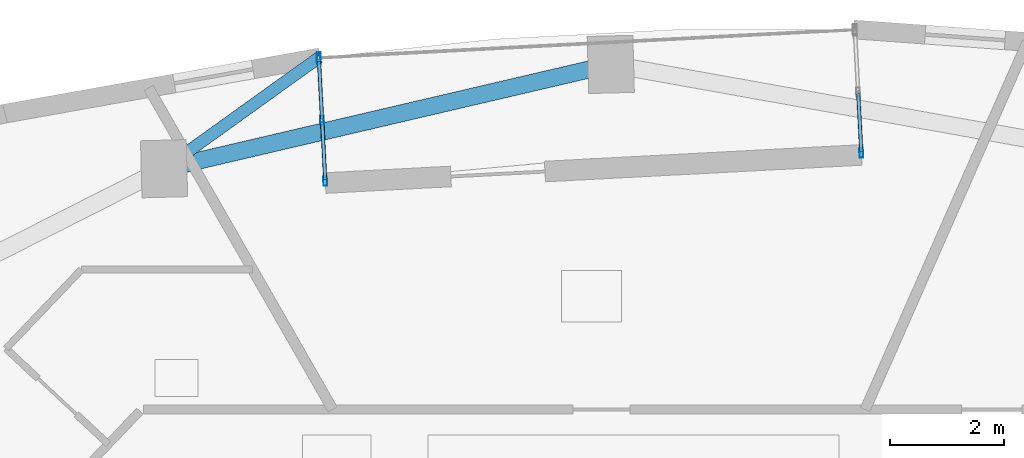
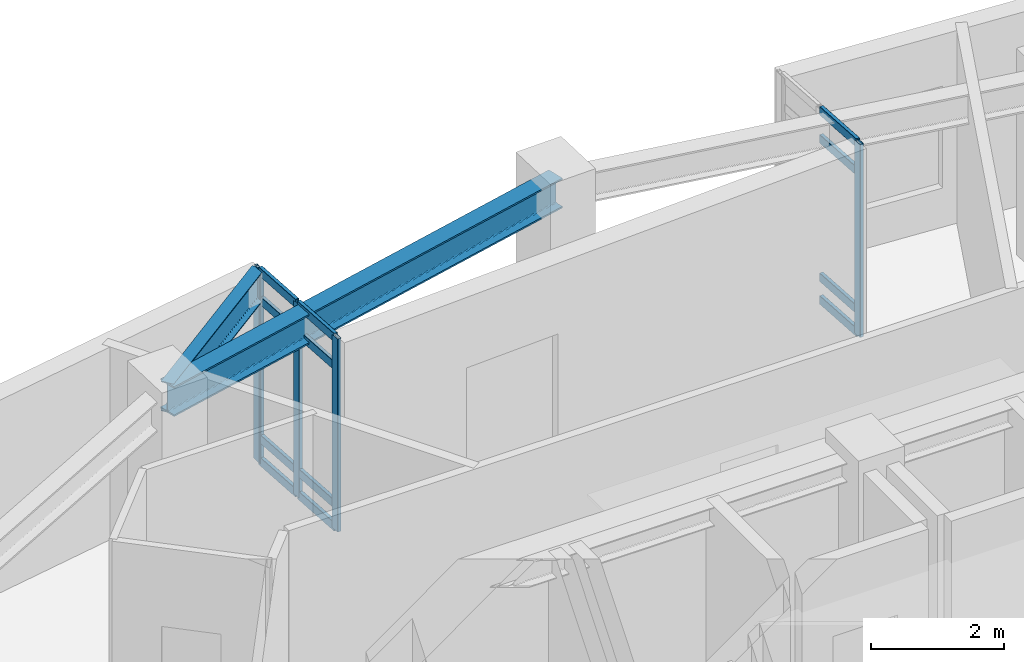
# One storey, part 2 of 11: 17 members, 2 beams, 2 elements without a shape of their own.
"""IFC4 building model written with IfcOpenShell, lengths in metres."""

from ifc_helpers import new_model, si_unit, direction, frame, origin, origin_2d, place, context, subcontext, project, spatial, hollow_rectangle, i_section, extrude, material, layer, layer_set, material_profile, profile_set, type_object, element, aggregate, save


model = new_model("IFC4")

# Units and contexts
model_context = context("Model", 3, precision=1e-05, world=origin(), true_north=direction((0.0, 1.0)))
body_context = subcontext(model_context, "Body", "Model", "MODEL_VIEW")
ifc_project = project(units=[si_unit("LENGTHUNIT", "METRE"), si_unit("AREAUNIT", "SQUARE_METRE"), si_unit("VOLUMEUNIT", "CUBIC_METRE"), si_unit("PLANEANGLEUNIT", "RADIAN"), si_unit("MASSUNIT", "GRAM", prefix="KILO")], contexts=[model_context])

# Site, building, storey
site_placement = place(None, origin())
site = spatial("IfcSite", under=ifc_project, at=site_placement, CompositionType="ELEMENT")
building_placement = place(site_placement, origin())
building = spatial("IfcBuilding", under=site, at=building_placement, Name="Ndelora Gate Hotel", CompositionType="ELEMENT")
storey_placement = place(building_placement, frame((0.0, 0.0, 224.550048828125)))
storey = spatial("IfcBuildingStorey", under=building, at=storey_placement, Name="L56", CompositionType="ELEMENT", Elevation=224.550048828125)

# Beams
ifc_material_1 = material(Name="Steel S355", Category="steel")
ifc_material_profile_1 = material_profile(ifc_material_1, i_section(OverallWidth=0.2099609375, OverallDepth=0.550048828125, WebThickness=0.010986328125, FlangeThickness=0.01708984375, FilletRadius=0.02392578125, at=origin_2d()), Name="IPE 550")
ifc_profile_set_1 = profile_set([ifc_material_profile_1], Name="Steel S355")
beam_type_1 = type_object("IfcBeamType", Name="BM-RAD-550", PredefinedType="BEAM", material=ifc_profile_set_1)
beam_1_placement = place(storey_placement, frame((-8.2216796875, 13.41650390625, 3.27490234375), z_axis=(0.812262393931, 0.583292210993, 0.0), x_axis=(-0.583292210993, 0.812262393931, 0.0)))
element("IfcBeam", 1, at=beam_1_placement, inside=storey, type_object=beam_type_1, Name="L56 Sky-Garden Loggia Column Bracket 3", PredefinedType="BEAM", context=body_context, shape_type="SweptSolid", body=[
    extrude(i_section(OverallWidth=0.2099609375, OverallDepth=0.550048828125, WebThickness=0.010986328125, FlangeThickness=0.01708984375, FilletRadius=0.02392578125, at=origin_2d()), origin(), (0.0, 0.0, 1.0), 3.33642578125),
])
ifc_material_profile_2 = material_profile(ifc_material_1, i_section(OverallWidth=0.300048828125, OverallDepth=0.550048828125, WebThickness=0.014892578125, FlangeThickness=0.029052734375, FilletRadius=0.027099609375, at=origin_2d()), Name="HEB 550")
ifc_profile_set_2 = profile_set([ifc_material_profile_2], Name="Steel S355")
beam_type_2 = type_object("IfcBeamType", Name="BM-RING-550", PredefinedType="SPANDREL", material=ifc_profile_set_2)
beam_2_placement = place(storey_placement, frame((-0.399169921875, 15.242919921875, 3.27490234375), z_axis=(-0.973809142107, -0.227367004529, 0.0), x_axis=(0.227367004529, -0.973809142107, 0.0)))
element("IfcBeam", 2, at=beam_2_placement, inside=storey, type_object=beam_type_2, Name="L56 Perimeter Spandrel Girder 11", PredefinedType="SPANDREL", context=body_context, shape_type="SweptSolid", body=[
    extrude(i_section(OverallWidth=0.300048828125, OverallDepth=0.550048828125, WebThickness=0.014892578125, FlangeThickness=0.029052734375, FilletRadius=0.027099609375, at=origin_2d()), origin(), (0.0, 0.0, 1.0), 8.032958984375),
])

# Curtain wall, member
ifc_material_2 = material(Name="Bronze Anodised Unitised Aluminium and Low-E Glass", Category="aluminium")
ifc_layer = layer(ifc_material_2, 0.199951171875)
ifc_layer_set = layer_set([ifc_layer], Name="Bronze Anodised Unitised Aluminium and Low-E Glass")
curtain_wall_type = type_object("IfcCurtainWallType", Name="CW-SYS-3", PredefinedType="NOTDEFINED", material=ifc_layer_set)
curtain_wall_1_placement = place(storey_placement, origin())
curtain_wall_1 = element("IfcCurtainWall", 3, at=curtain_wall_1_placement, inside=storey, type_object=curtain_wall_type, Name="L56 Sky-Garden Loggia Side Curtain Wall CW3-1", PredefinedType="NOTDEFINED")
ifc_material_3 = material(Name="Bronze Anodised Aluminium 6063-T6", Category="aluminium")
ifc_material_profile_3 = material_profile(ifc_material_3, hollow_rectangle(XDim=0.06494140625, YDim=0.159912109375, WallThickness=0.00390625, InnerFilletRadius=0.00390625, OuterFilletRadius=0.008056640625, at=origin_2d()), Name="ALU 160x65x4")
ifc_profile_set_3 = profile_set([ifc_material_profile_3], Name="Bronze Anodised Aluminium 6063-T6")
member_type_1 = type_object("IfcMemberType", Name="MB-CW-MUL150", PredefinedType="MULLION", material=ifc_profile_set_3)
member_1_placement = place(storey_placement, frame((3.989013671875, 13.68994140625, -0.004150390625), z_axis=(0.0, 0.0, 1.0), x_axis=(-0.998630482257, -0.052317873695, 0.0)))
member_1 = element("IfcMember", 4, at=member_1_placement, type_object=member_type_1, Name="CW3 mullion 1", PredefinedType="MULLION", context=body_context, shape_type="SweptSolid", body=[
    extrude(hollow_rectangle(XDim=0.06494140625, YDim=0.159912109375, WallThickness=0.00390625, InnerFilletRadius=0.00390625, OuterFilletRadius=0.008056640625, at=origin_2d()), origin(), (0.0, 0.0, 1.0), 3.55810546875),
])

# Curtain wall, members
curtain_wall_2_placement = place(storey_placement, origin())
curtain_wall_2 = element("IfcCurtainWall", 5, at=curtain_wall_2_placement, inside=storey, type_object=curtain_wall_type, Name="L56 Sky-Garden Loggia Side Curtain Wall CW3-2", PredefinedType="NOTDEFINED")
member_2_placement = place(storey_placement, frame((-5.510009765625, 15.330078125, -0.004150390625), z_axis=(0.0, 0.0, 1.0), x_axis=(0.998628106419, 0.052363203389, 0.0)))
member_2 = element("IfcMember", 6, at=member_2_placement, type_object=member_type_1, Name="CW3 mullion 1", PredefinedType="MULLION", context=body_context, shape_type="SweptSolid", body=[
    extrude(hollow_rectangle(XDim=0.06494140625, YDim=0.159912109375, WallThickness=0.00390625, InnerFilletRadius=0.00390625, OuterFilletRadius=0.008056640625, at=origin_2d()), origin(), (0.0, 0.0, 1.0), 3.55810546875),
])
member_3_placement = place(storey_placement, frame((-5.4541015625, 14.263916015625, -0.004150390625), z_axis=(0.0, 0.0, 1.0), x_axis=(0.998628106419, 0.052363203389, 0.0)))
member_3 = element("IfcMember", 7, at=member_3_placement, type_object=member_type_1, Name="CW3 mullion 2", PredefinedType="MULLION", context=body_context, shape_type="SweptSolid", body=[
    extrude(hollow_rectangle(XDim=0.06494140625, YDim=0.159912109375, WallThickness=0.00390625, InnerFilletRadius=0.00390625, OuterFilletRadius=0.008056640625, at=origin_2d()), origin(), (0.0, 0.0, 1.0), 3.55810546875),
])
member_4_placement = place(storey_placement, frame((-5.398193359375, 13.197998046875, -0.004150390625), z_axis=(0.0, 0.0, 1.0), x_axis=(0.998628106419, 0.052363203389, 0.0)))
member_4 = element("IfcMember", 8, at=member_4_placement, type_object=member_type_1, Name="CW3 mullion 3", PredefinedType="MULLION", context=body_context, shape_type="SweptSolid", body=[
    extrude(hollow_rectangle(XDim=0.06494140625, YDim=0.159912109375, WallThickness=0.00390625, InnerFilletRadius=0.00390625, OuterFilletRadius=0.008056640625, at=origin_2d()), origin(), (0.0, 0.0, 1.0), 3.55810546875),
])
ifc_material_profile_4 = material_profile(ifc_material_3, hollow_rectangle(XDim=0.070068359375, YDim=0.179931640625, WallThickness=0.0048828125, InnerFilletRadius=0.0048828125, OuterFilletRadius=0.010009765625, at=origin_2d()), Name="ALU 180x70x5")
ifc_profile_set_4 = profile_set([ifc_material_profile_4], Name="Bronze Anodised Aluminium 6063-T6")
member_type_2 = type_object("IfcMemberType", Name="MB-CW-MUL180", PredefinedType="MULLION", material=ifc_profile_set_4)
member_5_placement = place(storey_placement, frame((-5.51171875, 15.362548828125, 0.0), z_axis=(0.0, 0.0, 1.0), x_axis=(1.0, 0.0, 0.0)))
member_5 = element("IfcMember", 9, at=member_5_placement, type_object=member_type_2, Name="L56 Sky-Garden Loggia Corner Mullion Post 2", PredefinedType="MULLION", context=body_context, shape_type="SweptSolid", body=[
    extrude(hollow_rectangle(XDim=0.070068359375, YDim=0.179931640625, WallThickness=0.0048828125, InnerFilletRadius=0.0048828125, OuterFilletRadius=0.010009765625, at=origin_2d()), origin(), (0.0, 0.0, 1.0), 3.550048828125),
])

# Member
ifc_material_profile_5 = material_profile(ifc_material_3, hollow_rectangle(XDim=0.06494140625, YDim=0.159912109375, WallThickness=0.00390625, InnerFilletRadius=0.00390625, OuterFilletRadius=0.008056640625, at=origin_2d()), Name="ALU 160x65x4")
ifc_profile_set_5 = profile_set([ifc_material_profile_5], Name="Bronze Anodised Aluminium 6063-T6")
member_type_3 = type_object("IfcMemberType", Name="MB-CW-TRN150", PredefinedType="USERDEFINED", material=ifc_profile_set_5)
member_6_placement = place(storey_placement, frame((3.987548828125, 13.71630859375, 0.032470703125), z_axis=(-0.052217819525, 0.998635719031, 0.0), x_axis=(-0.998635719031, -0.052217819525, 0.0)))
member_6 = element("IfcMember", 10, at=member_6_placement, type_object=member_type_3, Name="CW3 transom 1.1", ObjectType="TRANSOM", PredefinedType="USERDEFINED", context=body_context, shape_type="SweptSolid", body=[
    extrude(hollow_rectangle(XDim=0.06494140625, YDim=0.159912109375, WallThickness=0.00390625, InnerFilletRadius=0.00390625, OuterFilletRadius=0.008056640625, at=origin_2d()), origin(), (0.0, 0.0, 1.0), 1.0146484375),
])

member_7_placement = place(storey_placement, frame((3.987548828125, 13.71630859375, 0.449951171875), z_axis=(-0.052217819525, 0.998635719031, 0.0), x_axis=(-0.998635719031, -0.052217819525, 0.0)))
member_7 = element("IfcMember", 11, at=member_7_placement, type_object=member_type_3, Name="CW3 transom 1.2", ObjectType="TRANSOM", PredefinedType="USERDEFINED", context=body_context, shape_type="SweptSolid", body=[
    extrude(hollow_rectangle(XDim=0.06494140625, YDim=0.159912109375, WallThickness=0.00390625, InnerFilletRadius=0.00390625, OuterFilletRadius=0.008056640625, at=origin_2d()), origin(), (0.0, 0.0, 1.0), 1.0146484375),
])

member_8_placement = place(storey_placement, frame((3.987548828125, 13.71630859375, 3.0), z_axis=(-0.052217819525, 0.998635719031, 0.0), x_axis=(-0.998635719031, -0.052217819525, 0.0)))
member_8 = element("IfcMember", 12, at=member_8_placement, type_object=member_type_3, Name="CW3 transom 1.3", ObjectType="TRANSOM", PredefinedType="USERDEFINED", context=body_context, shape_type="SweptSolid", body=[
    extrude(hollow_rectangle(XDim=0.06494140625, YDim=0.159912109375, WallThickness=0.00390625, InnerFilletRadius=0.00390625, OuterFilletRadius=0.008056640625, at=origin_2d()), origin(), (0.0, 0.0, 1.0), 1.0146484375),
])

member_9_placement = place(storey_placement, frame((3.987548828125, 13.71630859375, 3.517333984375), z_axis=(-0.052217819525, 0.998635719031, 0.0), x_axis=(-0.998635719031, -0.052217819525, 0.0)))
member_9 = element("IfcMember", 13, at=member_9_placement, type_object=member_type_3, Name="CW3 transom 1.4", ObjectType="TRANSOM", PredefinedType="USERDEFINED", context=body_context, shape_type="SweptSolid", body=[
    extrude(hollow_rectangle(XDim=0.06494140625, YDim=0.159912109375, WallThickness=0.00390625, InnerFilletRadius=0.00390625, OuterFilletRadius=0.008056640625, at=origin_2d()), origin(), (0.0, 0.0, 1.0), 1.0146484375),
])

aggregate(curtain_wall_1, [member_1, member_6, member_7, member_8, member_9])

member_10_placement = place(storey_placement, frame((-5.508544921875, 15.303466796875, 0.032470703125), z_axis=(0.052470402642, -0.998622479642, 0.0), x_axis=(0.998622479642, 0.052470402642, 0.0)))
member_10 = element("IfcMember", 14, at=member_10_placement, type_object=member_type_3, Name="CW3 transom 1.1", ObjectType="TRANSOM", PredefinedType="USERDEFINED", context=body_context, shape_type="SweptSolid", body=[
    extrude(hollow_rectangle(XDim=0.06494140625, YDim=0.159912109375, WallThickness=0.00390625, InnerFilletRadius=0.00390625, OuterFilletRadius=0.008056640625, at=origin_2d()), origin(), (0.0, 0.0, 1.0), 1.014404296875),
])

member_11_placement = place(storey_placement, frame((-5.508544921875, 15.303466796875, 0.449951171875), z_axis=(0.052470402642, -0.998622479642, 0.0), x_axis=(0.998622479642, 0.052470402642, 0.0)))
member_11 = element("IfcMember", 15, at=member_11_placement, type_object=member_type_3, Name="CW3 transom 1.2", ObjectType="TRANSOM", PredefinedType="USERDEFINED", context=body_context, shape_type="SweptSolid", body=[
    extrude(hollow_rectangle(XDim=0.06494140625, YDim=0.159912109375, WallThickness=0.00390625, InnerFilletRadius=0.00390625, OuterFilletRadius=0.008056640625, at=origin_2d()), origin(), (0.0, 0.0, 1.0), 1.014404296875),
])

member_12_placement = place(storey_placement, frame((-5.508544921875, 15.303466796875, 3.0), z_axis=(0.052470402642, -0.998622479642, 0.0), x_axis=(0.998622479642, 0.052470402642, 0.0)))
member_12 = element("IfcMember", 16, at=member_12_placement, type_object=member_type_3, Name="CW3 transom 1.3", ObjectType="TRANSOM", PredefinedType="USERDEFINED", context=body_context, shape_type="SweptSolid", body=[
    extrude(hollow_rectangle(XDim=0.06494140625, YDim=0.159912109375, WallThickness=0.00390625, InnerFilletRadius=0.00390625, OuterFilletRadius=0.008056640625, at=origin_2d()), origin(), (0.0, 0.0, 1.0), 1.014404296875),
])

member_13_placement = place(storey_placement, frame((-5.508544921875, 15.303466796875, 3.517333984375), z_axis=(0.052470402642, -0.998622479642, 0.0), x_axis=(0.998622479642, 0.052470402642, 0.0)))
member_13 = element("IfcMember", 17, at=member_13_placement, type_object=member_type_3, Name="CW3 transom 1.4", ObjectType="TRANSOM", PredefinedType="USERDEFINED", context=body_context, shape_type="SweptSolid", body=[
    extrude(hollow_rectangle(XDim=0.06494140625, YDim=0.159912109375, WallThickness=0.00390625, InnerFilletRadius=0.00390625, OuterFilletRadius=0.008056640625, at=origin_2d()), origin(), (0.0, 0.0, 1.0), 1.014404296875),
])

member_14_placement = place(storey_placement, frame((-5.45263671875, 14.237548828125, 0.032470703125), z_axis=(0.052457793968, -0.998623142057, 0.0), x_axis=(0.998623142057, 0.052457793968, 0.0)))
member_14 = element("IfcMember", 18, at=member_14_placement, type_object=member_type_3, Name="CW3 transom 2.1", ObjectType="TRANSOM", PredefinedType="USERDEFINED", context=body_context, shape_type="SweptSolid", body=[
    extrude(hollow_rectangle(XDim=0.06494140625, YDim=0.159912109375, WallThickness=0.00390625, InnerFilletRadius=0.00390625, OuterFilletRadius=0.008056640625, at=origin_2d()), origin(), (0.0, 0.0, 1.0), 1.0146484375),
])

member_15_placement = place(storey_placement, frame((-5.45263671875, 14.237548828125, 0.449951171875), z_axis=(0.052457793968, -0.998623142057, 0.0), x_axis=(0.998623142057, 0.052457793968, 0.0)))
member_15 = element("IfcMember", 19, at=member_15_placement, type_object=member_type_3, Name="CW3 transom 2.2", ObjectType="TRANSOM", PredefinedType="USERDEFINED", context=body_context, shape_type="SweptSolid", body=[
    extrude(hollow_rectangle(XDim=0.06494140625, YDim=0.159912109375, WallThickness=0.00390625, InnerFilletRadius=0.00390625, OuterFilletRadius=0.008056640625, at=origin_2d()), origin(), (0.0, 0.0, 1.0), 1.0146484375),
])

member_16_placement = place(storey_placement, frame((-5.45263671875, 14.237548828125, 3.0), z_axis=(0.052457793968, -0.998623142057, 0.0), x_axis=(0.998623142057, 0.052457793968, 0.0)))
member_16 = element("IfcMember", 20, at=member_16_placement, type_object=member_type_3, Name="CW3 transom 2.3", ObjectType="TRANSOM", PredefinedType="USERDEFINED", context=body_context, shape_type="SweptSolid", body=[
    extrude(hollow_rectangle(XDim=0.06494140625, YDim=0.159912109375, WallThickness=0.00390625, InnerFilletRadius=0.00390625, OuterFilletRadius=0.008056640625, at=origin_2d()), origin(), (0.0, 0.0, 1.0), 1.0146484375),
])

member_17_placement = place(storey_placement, frame((-5.45263671875, 14.237548828125, 3.517333984375), z_axis=(0.052457793968, -0.998623142057, 0.0), x_axis=(0.998623142057, 0.052457793968, 0.0)))
member_17 = element("IfcMember", 21, at=member_17_placement, type_object=member_type_3, Name="CW3 transom 2.4", ObjectType="TRANSOM", PredefinedType="USERDEFINED", context=body_context, shape_type="SweptSolid", body=[
    extrude(hollow_rectangle(XDim=0.06494140625, YDim=0.159912109375, WallThickness=0.00390625, InnerFilletRadius=0.00390625, OuterFilletRadius=0.008056640625, at=origin_2d()), origin(), (0.0, 0.0, 1.0), 1.0146484375),
])

aggregate(curtain_wall_2, [member_2, member_3, member_4, member_10, member_11, member_12, member_13, member_14, member_15, member_16, member_17, member_5])

save(model, "model.ifc")
